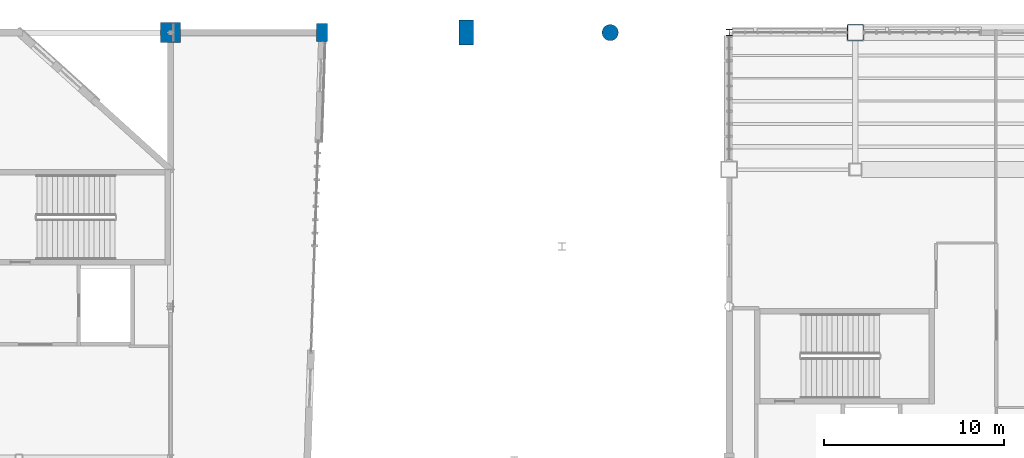
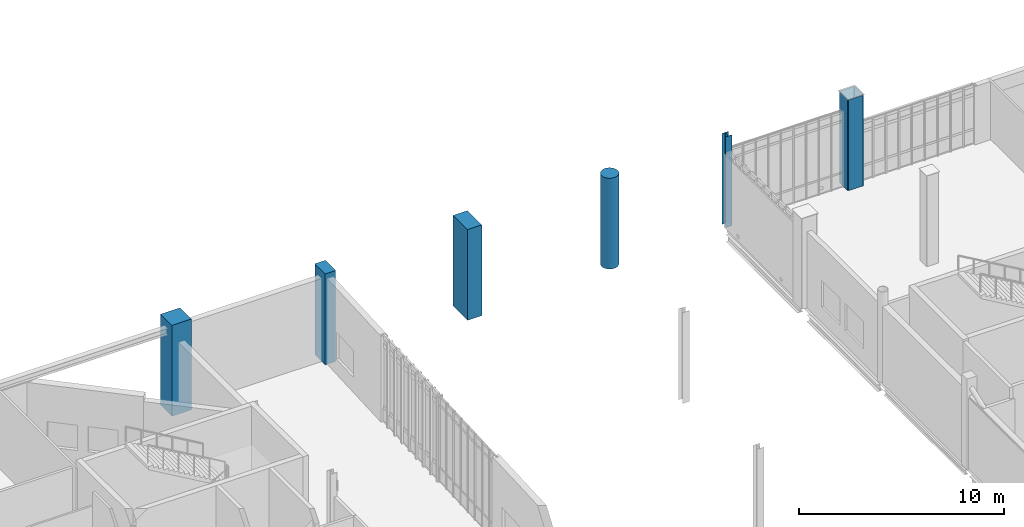
# One storey, part 13 of 127: 6 columns.
"""IFC4 building model written with IfcOpenShell, lengths in metres."""

from ifc_helpers import new_model, si_unit, direction, frame, origin, origin_2d, place, context, subcontext, project, spatial, rectangle, hollow_rectangle, circle, i_section, extrude, material, material_profile, profile_set, type_object, element, save


model = new_model("IFC4")

# Units and contexts
model_context = context("Model", 3, precision=1e-05, world=origin(), true_north=direction((0.0, 1.0)))
body_context = subcontext(model_context, "Body", "Model", "MODEL_VIEW")
ifc_project = project(units=[si_unit("LENGTHUNIT", "METRE"), si_unit("AREAUNIT", "SQUARE_METRE"), si_unit("VOLUMEUNIT", "CUBIC_METRE"), si_unit("PLANEANGLEUNIT", "RADIAN"), si_unit("MASSUNIT", "GRAM", prefix="KILO")], contexts=[model_context])

# Site, building, storey
site_placement = place(None, origin())
site = spatial("IfcSite", under=ifc_project, at=site_placement, CompositionType="ELEMENT")
building_placement = place(site_placement, origin())
building = spatial("IfcBuilding", under=site, at=building_placement, Name="Larkvane Passage Sports Hall", CompositionType="ELEMENT")
storey_placement = place(building_placement, frame((0.0, 0.0, 5.39990234375)))
storey = spatial("IfcBuildingStorey", under=building, at=storey_placement, Name="L01", CompositionType="ELEMENT", Elevation=5.39990234375)

# Columns
ifc_material_1 = material(Name="Concrete C50/60", Category="concrete")
ifc_material_profile_1 = material_profile(ifc_material_1, circle(Radius=0.449951171875, at=origin_2d()), Name="RC-CIR-900")
ifc_profile_set_1 = profile_set([ifc_material_profile_1], Name="Concrete C50/60")
column_type_1 = type_object("IfcColumnType", Name="COL-CIR-900", PredefinedType="COLUMN", material=ifc_profile_set_1)
column_1_placement = place(storey_placement, frame((118.0, 99.199951171875, 0.0), z_axis=(0.0, 0.0, 1.0), x_axis=(1.0, 0.0, 0.0)))
element("IfcColumn", 1, at=column_1_placement, inside=storey, type_object=column_type_1, Name="Column 16/M L01", PredefinedType="COLUMN", context=body_context, shape_type="SweptSolid", body=[
    extrude(circle(Radius=0.449951171875, at=origin_2d()), origin(), (0.0, 0.0, 1.0), 5.400146484375),
])
ifc_material_profile_2 = material_profile(ifc_material_1, rectangle(XDim=1.10009765625, YDim=1.10009765625, at=origin_2d()), Name="RC-COL-1100x1100")
ifc_profile_set_2 = profile_set([ifc_material_profile_2], Name="Concrete C50/60")
column_type_2 = type_object("IfcColumnType", Name="COL-RC-1100", PredefinedType="COLUMN", material=ifc_profile_set_2)
column_2_placement = place(storey_placement, frame((93.60009765625, 99.199951171875, 0.0), z_axis=(0.0, 0.0, 1.0), x_axis=(1.0, 0.0, 0.0)))
element("IfcColumn", 2, at=column_2_placement, inside=storey, type_object=column_type_2, Name="Column 13/M L01", PredefinedType="COLUMN", context=body_context, shape_type="SweptSolid", body=[
    extrude(rectangle(XDim=1.10009765625, YDim=1.10009765625, at=origin_2d()), origin(), (0.0, 0.0, 1.0), 5.400146484375),
])
ifc_material_2 = material(Name="Concrete C40/50", Category="concrete")
ifc_material_profile_3 = material_profile(ifc_material_2, rectangle(XDim=0.60009765625, YDim=1.0, at=origin_2d()), Name="RC-COL-600x1000")
ifc_profile_set_3 = profile_set([ifc_material_profile_3], Name="Concrete C40/50")
column_type_3 = type_object("IfcColumnType", Name="COL-RC-600x1000", PredefinedType="COLUMN", material=ifc_profile_set_3)
column_3_placement = place(storey_placement, frame((102.0, 99.199951171875, 0.0), z_axis=(0.0, 0.0, 1.0), x_axis=(1.0, 0.0, 0.0)))
element("IfcColumn", 3, at=column_3_placement, inside=storey, type_object=column_type_3, Name="Column 14/M L01", PredefinedType="COLUMN", context=body_context, shape_type="SweptSolid", body=[
    extrude(rectangle(XDim=0.60009765625, YDim=1.0, at=origin_2d()), origin(), (0.0, 0.0, 1.0), 5.400146484375),
])
ifc_material_profile_4 = material_profile(ifc_material_1, rectangle(XDim=0.800048828125, YDim=1.39990234375, at=origin_2d()), Name="RC-COL-800x1400")
ifc_profile_set_4 = profile_set([ifc_material_profile_4], Name="Concrete C50/60")
column_type_4 = type_object("IfcColumnType", Name="COL-RC-800x1400", PredefinedType="COLUMN", material=ifc_profile_set_4)
column_4_placement = place(storey_placement, frame((110.0, 99.199951171875, 0.0), z_axis=(0.0, 0.0, 1.0), x_axis=(1.0, 0.0, 0.0)))
element("IfcColumn", 4, at=column_4_placement, inside=storey, type_object=column_type_4, Name="Column 15/M L01", PredefinedType="COLUMN", context=body_context, shape_type="SweptSolid", body=[
    extrude(rectangle(XDim=0.800048828125, YDim=1.39990234375, at=origin_2d()), origin(), (0.0, 0.0, 1.0), 5.400146484375),
])
ifc_material_3 = material(Name="Steel S460N", Category="steel")
ifc_material_profile_5 = material_profile(ifc_material_3, hollow_rectangle(XDim=0.89990234375, YDim=0.89990234375, WallThickness=0.035888671875, InnerFilletRadius=0.035888671875, OuterFilletRadius=0.072021484375, at=origin_2d()), Name="BOX-900x900x36")
ifc_profile_set_5 = profile_set([ifc_material_profile_5], Name="Steel S460N")
column_type_5 = type_object("IfcColumnType", Name="COL-STL-BOX900", PredefinedType="COLUMN", material=ifc_profile_set_5)
column_5_placement = place(storey_placement, frame((131.60009765625, 99.199951171875, 0.0), z_axis=(0.0, 0.0, 1.0), x_axis=(1.0, 0.0, 0.0)))
element("IfcColumn", 5, at=column_5_placement, inside=storey, type_object=column_type_5, Name="Column 18/M L01", PredefinedType="COLUMN", context=body_context, shape_type="SweptSolid", body=[
    extrude(hollow_rectangle(XDim=0.89990234375, YDim=0.89990234375, WallThickness=0.035888671875, InnerFilletRadius=0.035888671875, OuterFilletRadius=0.072021484375, at=origin_2d()), origin(), (0.0, 0.0, 1.0), 5.400146484375),
])
ifc_material_4 = material(Name="Steel S355JR", Category="steel")
ifc_material_profile_6 = material_profile(ifc_material_4, i_section(OverallWidth=0.35009765625, OverallDepth=0.35009765625, WebThickness=0.011962890625, FlangeThickness=0.01904296875, FilletRadius=0.012939453125, at=origin_2d()), Name="H-350x350x12x19")
ifc_profile_set_6 = profile_set([ifc_material_profile_6], Name="Steel S355JR")
column_type_6 = type_object("IfcColumnType", Name="COL-STL-H350", PredefinedType="COLUMN", material=ifc_profile_set_6)
column_6_placement = place(storey_placement, frame((124.60009765625, 99.199951171875, 0.0), z_axis=(0.0, 0.0, 1.0), x_axis=(1.0, 0.0, 0.0)))
element("IfcColumn", 6, at=column_6_placement, inside=storey, type_object=column_type_6, Name="Column 17/M L01", PredefinedType="COLUMN", context=body_context, shape_type="SweptSolid", body=[
    extrude(i_section(OverallWidth=0.35009765625, OverallDepth=0.35009765625, WebThickness=0.011962890625, FlangeThickness=0.01904296875, FilletRadius=0.012939453125, at=origin_2d()), origin(), (0.0, 0.0, 1.0), 5.400146484375),
])

save(model, "model.ifc")
